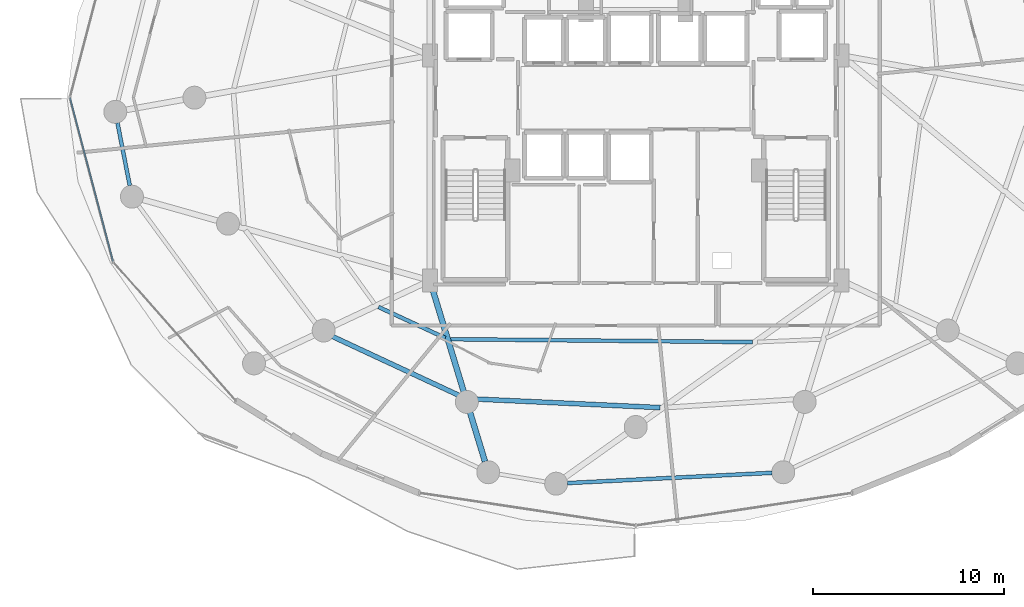
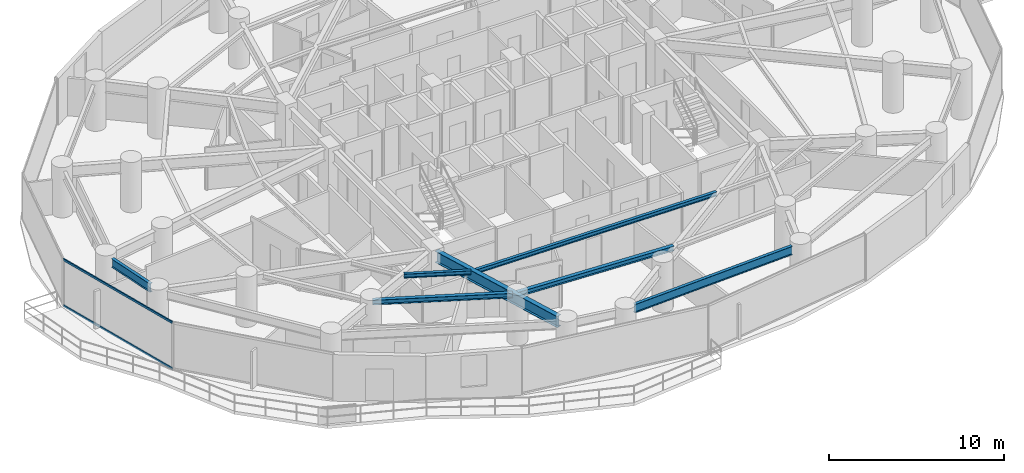
# One storey, part 6 of 33: 7 beams, 2 members, 1 element without a shape of its own.
"""IFC4 building model written with IfcOpenShell, lengths in metres."""

import ifcopenshell
import ifcopenshell.guid

model = None  # the IFC model being written
_history = None  # IfcOwnerHistory: only IFC2X3 demands one
_inside = {}  # id of a spatial element -> (the spatial element, [elements in it])
_under = {}  # id of a project, library or spatial element -> (it, [spatial elements below it])
_declared = {}  # id of a project -> (the project, [libraries it declares])
_typed = {}  # id of a type object -> (the type object, [elements of that type])
_made_of = {}  # id of a material, layer set ... -> (it, [elements and type objects made of it])


def new_model(schema):
    """Start an empty IFC model of exactly this schema.

    Asked for "IFC4X3", IfcOpenShell would pick the latest addendum, in which some entities
    have other attributes; the version numbers below select the first issue.
    IFC2X3 requires an IfcOwnerHistory on every rooted entity: one is made here for all.
    """
    global model, _history
    if schema == "IFC4X3":
        model = ifcopenshell.file(schema_version=(4, 3, 0, 0))
    else:
        model = ifcopenshell.file(schema=schema)
    _inside.clear()
    _under.clear()
    _declared.clear()
    _typed.clear()
    _made_of.clear()
    _history = None
    if model.schema == "IFC2X3":
        org = make("IfcOrganization", Name="unknown")
        user = make(
            "IfcPersonAndOrganization",
            ThePerson=make("IfcPerson", FamilyName="unknown"),
            TheOrganization=org,
        )
        app = make(
            "IfcApplication",
            ApplicationDeveloper=org,
            Version="unknown",
            ApplicationFullName="unknown",
            ApplicationIdentifier="unknown",
        )
        _history = make(
            "IfcOwnerHistory",
            OwningUser=user,
            OwningApplication=app,
            ChangeAction="ADDED",
            CreationDate=0,
        )
    return model


def make(cls, **values):
    """One entity of the class cls with the attributes given. An attribute that is None is left unset."""
    return model.create_entity(
        cls, **{name: value for name, value in values.items() if value is not None}
    )


def rooted(cls, **values):
    """An entity with a GlobalId (a new one), such as an element, a storey or a relation."""
    return make(cls, GlobalId=ifcopenshell.guid.new(), OwnerHistory=_history, **values)


def si_unit(unit_type, name, prefix=None):
    """IfcSIUnit, for example si_unit("LENGTHUNIT", "METRE", prefix="MILLI")."""
    return make("IfcSIUnit", UnitType=unit_type, Prefix=prefix, Name=name)


def assignment(units):
    """IfcUnitAssignment: the units of a project."""
    return None if units is None else make("IfcUnitAssignment", Units=units)


def point(xyz):
    """IfcCartesianPoint."""
    return None if xyz is None else make("IfcCartesianPoint", Coordinates=xyz)


def direction(xyz):
    """IfcDirection."""
    return None if xyz is None else make("IfcDirection", DirectionRatios=xyz)


def frame(location, z_axis=None, x_axis=None):
    """IfcAxis2Placement3D, a coordinate frame: its origin and axes. An axis left out is left unset."""
    return make(
        "IfcAxis2Placement3D",
        Location=point(location),
        Axis=direction(z_axis),
        RefDirection=direction(x_axis),
    )


def frame_2d(location, x_axis=None):
    """IfcAxis2Placement2D, a coordinate frame in the plane: its origin and x axis."""
    return make(
        "IfcAxis2Placement2D", Location=point(location), RefDirection=direction(x_axis)
    )


def origin():
    """The frame at (0, 0, 0) with its axes left unset."""
    return frame((0.0, 0.0, 0.0))


def origin_2d():
    """The frame at (0, 0) in the plane with its x axis left unset."""
    return frame_2d((0.0, 0.0))


def place(relative_to, where):
    """IfcLocalPlacement: puts the frame where relative to a parent placement (None: the world)."""
    return make(
        "IfcLocalPlacement", PlacementRelTo=relative_to, RelativePlacement=where
    )


def context(
    kind, dimensions, precision=None, world=None, true_north=None, identifier=None
):
    """IfcGeometricRepresentationContext, for example the 3D "Model" context."""
    return make(
        "IfcGeometricRepresentationContext",
        ContextIdentifier=identifier,
        ContextType=kind,
        CoordinateSpaceDimension=dimensions,
        Precision=precision,
        WorldCoordinateSystem=world,
        TrueNorth=true_north,
    )


def subcontext(parent, identifier, kind, view, scale=None):
    """IfcGeometricRepresentationSubContext, for example "Body" below "Model"."""
    return make(
        "IfcGeometricRepresentationSubContext",
        ContextIdentifier=identifier,
        ContextType=kind,
        ParentContext=parent,
        TargetScale=scale,
        TargetView=view,
    )


def project(units=None, contexts=None):
    """IfcProject with its units and contexts."""
    return rooted(
        "IfcProject",
        Name="project",
        RepresentationContexts=contexts,
        UnitsInContext=assignment(units),
    )


def spatial(cls, under=None, at=None, **own):
    """A site, building, storey or space (cls), placed at a placement, below another one or the project."""
    s = rooted(cls, ObjectPlacement=at, **own)
    if under is not None:
        _under.setdefault(under.id(), (under, []))[1].append(s)
    return s


def profile(cls, at=None, kind="AREA", **sizes):
    """A parametric profile (cls). Its sizes go by their IFC names, for example OverallWidth=200.0."""
    return make(cls, ProfileType=kind, Position=at, **sizes)


def hollow_rectangle(**sizes):
    """IfcRectangleHollowProfileDef."""
    return profile("IfcRectangleHollowProfileDef", **sizes)


def i_section(**sizes):
    """IfcIShapeProfileDef."""
    return profile("IfcIShapeProfileDef", **sizes)


def extrude(swept, where, along, depth):
    """IfcExtrudedAreaSolid: the profile swept, set in the frame where, extruded along a direction by depth."""
    return make(
        "IfcExtrudedAreaSolid",
        SweptArea=swept,
        Position=where,
        ExtrudedDirection=direction(along),
        Depth=depth,
    )


def shape(context_of_items, identifier, shape_type, items):
    """IfcShapeRepresentation: the items that make up one representation, for example the "Body"."""
    return make(
        "IfcShapeRepresentation",
        ContextOfItems=context_of_items,
        RepresentationIdentifier=identifier,
        RepresentationType=shape_type,
        Items=items,
    )


def material(Name=None, Category=None):
    """IfcMaterial."""
    return make("IfcMaterial", Name=Name, Category=Category)


def material_profile(
    of_material, cross_section, Name=None, Category=None, Priority=None
):
    """IfcMaterialProfile: a cross section and its material."""
    return make(
        "IfcMaterialProfile",
        Name=Name,
        Material=of_material,
        Profile=cross_section,
        Priority=Priority,
        Category=Category,
    )


def profile_set(profiles, Name=None, composite=None):
    """IfcMaterialProfileSet."""
    return make(
        "IfcMaterialProfileSet",
        Name=Name,
        MaterialProfiles=profiles,
        CompositeProfile=composite,
    )


def made_of(thing, what):
    """Note that an element or type object is made of a material, layer set ...; save() writes the relation."""
    if what is not None:
        _made_of.setdefault(what.id(), (what, []))[1].append(thing)
    return thing


def type_object(cls, material=None, **own):
    """A type object (cls), such as IfcWallType, which elements share."""
    return made_of(rooted(cls, **own), material)


def element(
    cls,
    number,
    at=None,
    inside=None,
    cuts=None,
    type_object=None,
    material=None,
    context=None,
    identifier="Body",
    shape_type=None,
    held_by="IfcProductDefinitionShape",
    body=None,
    shapes=None,
    **own,
):
    """One element of the class cls, such as IfcWall. Its Tag is "e" and its number.

    at: its placement. inside: the storey or other place that contains it. cuts: it is an
    opening in that element (IfcRelVoidsElement). A single representation is given by context,
    identifier, shape_type and body (its items); several are given by shapes. held_by: the class
    of the entity that holds the representations. save() writes the other relations.
    """
    e = rooted(cls, Tag="e%d" % number, ObjectPlacement=at, **own)
    if body is not None:
        shapes = [shape(context, identifier, shape_type, body)]
    if shapes is not None:
        e.Representation = make(held_by, Representations=shapes)
    if inside is not None:
        _inside.setdefault(inside.id(), (inside, []))[1].append(e)
    if cuts is not None:
        rooted(
            "IfcRelVoidsElement", RelatingBuildingElement=cuts, RelatedOpeningElement=e
        )
    if type_object is not None:
        _typed.setdefault(type_object.id(), (type_object, []))[1].append(e)
    return made_of(e, material)


def aggregate(whole, parts):
    """IfcRelAggregates: a whole, such as a stair, and the parts it consists of."""
    return rooted("IfcRelAggregates", RelatingObject=whole, RelatedObjects=parts)


def save(model, path):
    """Write the relations noted so far, then the file.

    IfcRelAggregates (storeys below a building ...), IfcRelContainedInSpatialStructure (elements
    in a storey), IfcRelDefinesByType, IfcRelAssociatesMaterial and IfcRelDeclares: one each for
    every whole, place, type object, material and project.
    """
    for whole, parts in _under.values():
        aggregate(whole, parts)
    for where, things in _inside.values():
        rooted(
            "IfcRelContainedInSpatialStructure",
            RelatedElements=things,
            RelatingStructure=where,
        )
    for kind, things in _typed.values():
        rooted("IfcRelDefinesByType", RelatedObjects=things, RelatingType=kind)
    for what, things in _made_of.values():
        rooted("IfcRelAssociatesMaterial", RelatedObjects=things, RelatingMaterial=what)
    for by, libraries in _declared.values():
        rooted("IfcRelDeclares", RelatingContext=by, RelatedDefinitions=libraries)
    model.write(path)


model = new_model("IFC4")

# Units and contexts
model_context = context("Model", 3, precision=1e-05, world=origin(), true_north=direction((0.0, 1.0)))
body_context = subcontext(model_context, "Body", "Model", "MODEL_VIEW")
ifc_project = project(units=[si_unit("LENGTHUNIT", "METRE"), si_unit("AREAUNIT", "SQUARE_METRE"), si_unit("VOLUMEUNIT", "CUBIC_METRE"), si_unit("PLANEANGLEUNIT", "RADIAN"), si_unit("MASSUNIT", "GRAM", prefix="KILO")], contexts=[model_context])

# Site, building, storey
site_placement = place(None, origin())
site = spatial("IfcSite", under=ifc_project, at=site_placement, CompositionType="ELEMENT")
building_placement = place(site_placement, origin())
building = spatial("IfcBuilding", under=site, at=building_placement, Name="Vorneva Point Tower", CompositionType="ELEMENT")
storey_placement = place(building_placement, frame((0.0, 0.0, 59.0)))
storey = spatial("IfcBuildingStorey", under=building, at=storey_placement, Name="L15", CompositionType="ELEMENT", Elevation=59.0)

# Beams
ifc_material_1 = material(Name="Steel S355", Category="steel")
ifc_material_profile_1 = material_profile(ifc_material_1, i_section(OverallWidth=0.300048828125, OverallDepth=0.7880859375, WebThickness=0.014404296875, FlangeThickness=0.02197265625, at=origin_2d()), Name="80Sh1")
ifc_profile_set_1 = profile_set([ifc_material_profile_1], Name="Steel S355")
beam_type_1 = type_object("IfcBeamType", Name="BM-GRD-80Sh1", PredefinedType="USERDEFINED", material=ifc_profile_set_1)
beam_1_placement = place(storey_placement, frame((30.125732421875, 6.997802734375, 2.845947265625), z_axis=(-0.29105061459, 0.956707656365, 0.0), x_axis=(-0.956707656365, -0.29105061459, 0.0)))
element("IfcBeam", 1, at=beam_1_placement, inside=storey, type_object=beam_type_1, Name="L15 Radial Primary Girder 12", ObjectType="GIRDER", PredefinedType="USERDEFINED", context=body_context, shape_type="SweptSolid", body=[
    extrude(i_section(OverallWidth=0.300048828125, OverallDepth=0.7880859375, WebThickness=0.014404296875, FlangeThickness=0.02197265625, at=origin_2d()), origin(), (0.0, 0.0, 1.0), 9.5400390625),
])
ifc_material_profile_2 = material_profile(ifc_material_1, i_section(OverallWidth=0.199951171875, OverallDepth=0.291015625, WebThickness=0.008056640625, FlangeThickness=0.010986328125, at=origin_2d()), Name="30Sh1")
ifc_profile_set_2 = profile_set([ifc_material_profile_2], Name="Steel S355")
beam_type_2 = type_object("IfcBeamType", Name="BM-SEC-30Sh1", PredefinedType="BEAM", material=ifc_profile_set_2)
beam_2_placement = place(storey_placement, frame((24.562744140625, 15.06787109375, 3.094482421875), z_axis=(0.906908671886, -0.421327260996, 0.0), x_axis=(0.421327260996, 0.906908671886, 0.0)))
element("IfcBeam", 2, at=beam_2_placement, inside=storey, type_object=beam_type_2, Name="L15 Secondary Floor Beam 2.11", PredefinedType="BEAM", context=body_context, shape_type="SweptSolid", body=[
    extrude(i_section(OverallWidth=0.199951171875, OverallDepth=0.291015625, WebThickness=0.008056640625, FlangeThickness=0.010986328125, at=origin_2d()), origin(), (0.0, 0.0, 1.0), 3.852783203125),
])
beam_3_placement = place(storey_placement, frame((28.320068359375, 13.38525390625, 3.094482421875), z_axis=(0.999953186731, -0.009675967514, 0.0), x_axis=(0.009675967514, 0.999953186731, 0.0)))
element("IfcBeam", 3, at=beam_3_placement, inside=storey, type_object=beam_type_2, Name="L15 Secondary Floor Beam 2.12", PredefinedType="BEAM", context=body_context, shape_type="SweptSolid", body=[
    extrude(i_section(OverallWidth=0.199951171875, OverallDepth=0.291015625, WebThickness=0.008056640625, FlangeThickness=0.010986328125, at=origin_2d()), origin(), (0.0, 0.0, 1.0), 15.769775390625),
])
ifc_material_profile_3 = material_profile(ifc_material_1, i_section(OverallWidth=0.2490234375, OverallDepth=0.333984375, WebThickness=0.008056640625, FlangeThickness=0.010986328125, at=origin_2d()), Name="35Sh1")
ifc_profile_set_3 = profile_set([ifc_material_profile_3], Name="Steel S355")
beam_type_3 = type_object("IfcBeamType", Name="BM-SEC-35Sh1", PredefinedType="BEAM", material=ifc_profile_set_3)
beam_4_placement = place(storey_placement, frame((21.72412109375, 13.731201171875, 3.072998046875), z_axis=(0.906496779904, -0.4222127284, 0.0), x_axis=(0.4222127284, 0.906496779904, 0.0)))
element("IfcBeam", 4, at=beam_4_placement, inside=storey, type_object=beam_type_3, Name="L15 Secondary Floor Beam 1.11", PredefinedType="BEAM", context=body_context, shape_type="SweptSolid", body=[
    extrude(i_section(OverallWidth=0.2490234375, OverallDepth=0.333984375, WebThickness=0.008056640625, FlangeThickness=0.010986328125, at=origin_2d()), origin(), (0.0, 0.0, 1.0), 8.02783203125),
])
beam_5_placement = place(storey_placement, frame((29.263916015625, 10.277099609375, 3.072998046875), z_axis=(0.998927512938, -0.046301445934, 0.0), x_axis=(0.046301445934, 0.998927512938, 0.0)))
element("IfcBeam", 5, at=beam_5_placement, inside=storey, type_object=beam_type_3, Name="L15 Secondary Floor Beam 1.12", PredefinedType="BEAM", context=body_context, shape_type="SweptSolid", body=[
    extrude(i_section(OverallWidth=0.2490234375, OverallDepth=0.333984375, WebThickness=0.008056640625, FlangeThickness=0.010986328125, at=origin_2d()), origin(), (0.0, 0.0, 1.0), 10.023681640625),
])
ifc_material_profile_4 = material_profile(ifc_material_1, i_section(OverallWidth=0.198974609375, OverallDepth=0.595947265625, WebThickness=0.010009765625, FlangeThickness=0.014892578125, at=origin_2d()), Name="60B1")
ifc_profile_set_4 = profile_set([ifc_material_profile_4], Name="Steel S355")
beam_type_4 = type_object("IfcBeamType", Name="BM-SPN-60B1", PredefinedType="SPANDREL", material=ifc_profile_set_4)
beam_6_placement = place(storey_placement, frame((10.9306640625, 24.68701171875, 2.94189453125), z_axis=(0.192691361054, -0.981259414923, 0.0), x_axis=(0.981259414923, 0.192691361054, 0.0)))
element("IfcBeam", 6, at=beam_6_placement, inside=storey, type_object=beam_type_4, Name="L15 Perimeter Spandrel Ring Beam 09", PredefinedType="SPANDREL", context=body_context, shape_type="SweptSolid", body=[
    extrude(i_section(OverallWidth=0.198974609375, OverallDepth=0.595947265625, WebThickness=0.010009765625, FlangeThickness=0.014892578125, at=origin_2d()), origin(), (0.0, 0.0, 1.0), 3.34619140625),
])
beam_7_placement = place(storey_placement, frame((34.4248046875, 5.869140625, 2.94189453125), z_axis=(0.998742254413, 0.050138899561, 0.0), x_axis=(-0.050138899561, 0.998742254413, 0.0)))
element("IfcBeam", 7, at=beam_7_placement, inside=storey, type_object=beam_type_4, Name="L15 Perimeter Spandrel Ring Beam 13", PredefinedType="SPANDREL", context=body_context, shape_type="SweptSolid", body=[
    extrude(i_section(OverallWidth=0.198974609375, OverallDepth=0.595947265625, WebThickness=0.010009765625, FlangeThickness=0.014892578125, at=origin_2d()), origin(), (0.0, 0.0, 1.0), 10.70751953125),
])

# Curtain wall, members
ifc_material_2 = material(Name="Pale anodised aluminium", Category="aluminium")
curtain_wall_type = type_object("IfcCurtainWallType", Name="CW-HTL-SYS", PredefinedType="NOTDEFINED", material=ifc_material_2)
curtain_wall_placement = place(storey_placement, origin())
curtain_wall = element("IfcCurtainWall", 8, at=curtain_wall_placement, inside=storey, type_object=curtain_wall_type, Name="L15 Unitised Curtain Wall CW-L15-R03", PredefinedType="NOTDEFINED")
ifc_material_profile_5 = material_profile(ifc_material_2, hollow_rectangle(XDim=0.074951171875, YDim=0.14990234375, WallThickness=0.00390625, at=origin_2d()), Name="AL-TRN 150x75x4")
ifc_profile_set_5 = profile_set([ifc_material_profile_5], Name="Pale anodised aluminium")
member_type = type_object("IfcMemberType", Name="CW-TRN-150", PredefinedType="USERDEFINED", material=ifc_profile_set_5)
member_1_placement = place(storey_placement, frame((8.449951171875, 26.0, 0.02001953125), z_axis=(0.254358772746, -0.967109928978, 0.0), x_axis=(0.967109928978, 0.254358772746, 0.0)))
member_1 = element("IfcMember", 9, at=member_1_placement, type_object=member_type, Name="CW-L15-R03 Transom 03.1", ObjectType="TRANSOM", PredefinedType="USERDEFINED", context=body_context, shape_type="SweptSolid", body=[
    extrude(hollow_rectangle(XDim=0.074951171875, YDim=0.14990234375, WallThickness=0.00390625, at=origin_2d()), origin(), (0.0, 0.0, 1.0), 8.84375),
])
member_2_placement = place(storey_placement, frame((8.449951171875, 26.0, 3.219970703125), z_axis=(0.254358772746, -0.967109928978, 0.0), x_axis=(0.967109928978, 0.254358772746, 0.0)))
member_2 = element("IfcMember", 10, at=member_2_placement, type_object=member_type, Name="CW-L15-R03 Transom 03.2", ObjectType="TRANSOM", PredefinedType="USERDEFINED", context=body_context, shape_type="SweptSolid", body=[
    extrude(hollow_rectangle(XDim=0.074951171875, YDim=0.14990234375, WallThickness=0.00390625, at=origin_2d()), origin(), (0.0, 0.0, 1.0), 8.84375),
])
aggregate(curtain_wall, [member_1, member_2])

save(model, "model.ifc")
